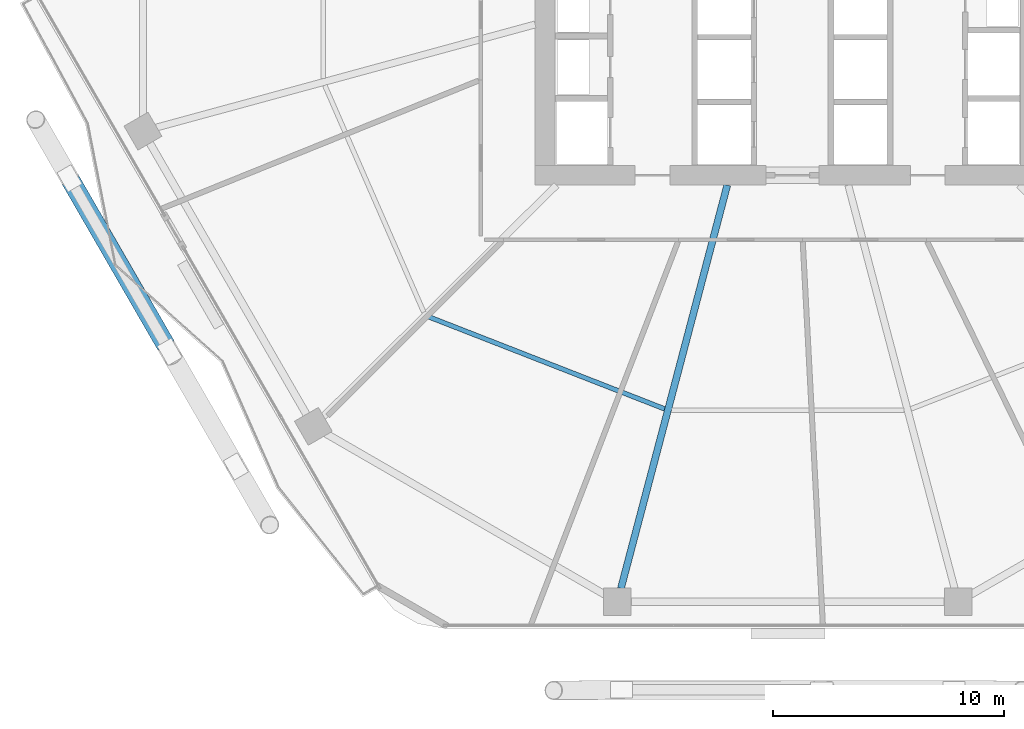
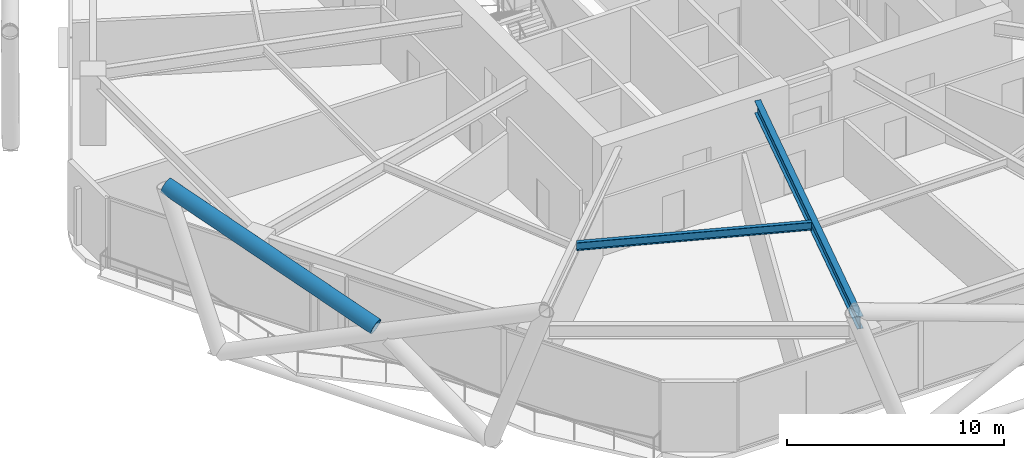
# One storey, part 4 of 30: 2 beams, 1 member.
"""IFC4 building model written with IfcOpenShell, lengths in metres."""

from ifc_helpers import new_model, si_unit, direction, frame, origin, origin_2d, place, context, subcontext, project, spatial, hollow_circle, i_section, extrude, material, material_profile, profile_set, type_object, element, save


model = new_model("IFC4")

# Units and contexts
model_context = context("Model", 3, precision=1e-05, world=origin(), true_north=direction((0.0, 1.0)))
body_context = subcontext(model_context, "Body", "Model", "MODEL_VIEW")
ifc_project = project(units=[si_unit("LENGTHUNIT", "METRE"), si_unit("AREAUNIT", "SQUARE_METRE"), si_unit("VOLUMEUNIT", "CUBIC_METRE"), si_unit("PLANEANGLEUNIT", "RADIAN"), si_unit("MASSUNIT", "GRAM", prefix="KILO")], contexts=[model_context])

# Site, building, storey
site_placement = place(None, origin())
site = spatial("IfcSite", under=ifc_project, at=site_placement, CompositionType="ELEMENT")
building_placement = place(site_placement, origin())
building = spatial("IfcBuilding", under=site, at=building_placement, Name="Zuhravey Tower", CompositionType="ELEMENT")
storey_placement = place(building_placement, frame((0.0, 0.0, 16.199951171875)))
storey = spatial("IfcBuildingStorey", under=building, at=storey_placement, Name="L04", CompositionType="ELEMENT", Elevation=16.199951171875)

# Member
ifc_material_1 = material(Name="Steel SM460", Category="steel")
ifc_material_profile_1 = material_profile(ifc_material_1, hollow_circle(Radius=0.406494140625, WallThickness=0.035888671875, at=origin_2d()), Name="CHS-812.8x36")
ifc_profile_set_1 = profile_set([ifc_material_profile_1], Name="Steel SM460")
member_type = type_object("IfcMemberType", Name="Exoskeleton Zone 1 Diagrid CHS813x36", PredefinedType="BRACE", material=ifc_profile_set_1)
member_placement = place(storey_placement, frame((9.080322265625, 15.189208984375, 3.841064453125), z_axis=(-0.470168805096, 0.814366925669, 0.340217290992), x_axis=(-0.866028239721, -0.499995087982, 0.0)))
element("IfcMember", 1, at=member_placement, inside=storey, type_object=member_type, Name="L04 Face 4 Split Diagrid Brace 3B", PredefinedType="BRACE", context=body_context, shape_type="SweptSolid", body=[
    extrude(hollow_circle(Radius=0.406494140625, WallThickness=0.035888671875, at=origin_2d()), origin(), (0.0, 0.0, 1.0), 11.89794921875),
])

# Beams
ifc_material_2 = material(Name="Steel SM355", Category="steel")
ifc_material_profile_2 = material_profile(ifc_material_2, i_section(OverallWidth=0.300048828125, OverallDepth=0.699951171875, WebThickness=0.012939453125, FlangeThickness=0.02392578125, at=origin_2d()), Name="H-700x300x13x24")
ifc_profile_set_2 = profile_set([ifc_material_profile_2], Name="Steel SM355")
beam_type_1 = type_object("IfcBeamType", Name="Radial Primary Girder H700x300", PredefinedType="BEAM", material=ifc_profile_set_2)
beam_1_placement = place(storey_placement, frame((33.382080078125, 22.072021484375, 3.570068359375), z_axis=(-0.254989720435, -0.966943763862, 0.0), x_axis=(0.966943763862, -0.254989720435, 0.0)))
element("IfcBeam", 2, at=beam_1_placement, inside=storey, type_object=beam_type_1, Name="L04 RG1 BM-L04-RAD-09", PredefinedType="BEAM", context=body_context, shape_type="SweptSolid", body=[
    extrude(i_section(OverallWidth=0.300048828125, OverallDepth=0.699951171875, WebThickness=0.012939453125, FlangeThickness=0.02392578125, at=origin_2d()), origin(), (0.0, 0.0, 1.0), 18.03369140625),
])
ifc_material_profile_3 = material_profile(ifc_material_2, i_section(OverallWidth=0.199951171875, OverallDepth=0.449951171875, WebThickness=0.009033203125, FlangeThickness=0.013916015625, at=origin_2d()), Name="H-450x200x9x14")
ifc_profile_set_3 = profile_set([ifc_material_profile_3], Name="Steel SM355")
beam_type_2 = type_object("IfcBeamType", Name="Secondary Floor Joist H450x200", PredefinedType="JOIST", material=ifc_profile_set_3)
beam_2_placement = place(storey_placement, frame((20.4599609375, 16.38427734375, 3.695068359375), z_axis=(0.931516535886, -0.363698973562, 0.0), x_axis=(0.363698973562, 0.931516535886, 0.0)))
element("IfcBeam", 3, at=beam_2_placement, inside=storey, type_object=beam_type_2, Name="L04 SJ1 BM-L04-SJ-08-1", PredefinedType="JOIST", context=body_context, shape_type="SweptSolid", body=[
    extrude(i_section(OverallWidth=0.199951171875, OverallDepth=0.449951171875, WebThickness=0.009033203125, FlangeThickness=0.013916015625, at=origin_2d()), origin(), (0.0, 0.0, 1.0), 10.963134765625),
])

save(model, "model.ifc")
